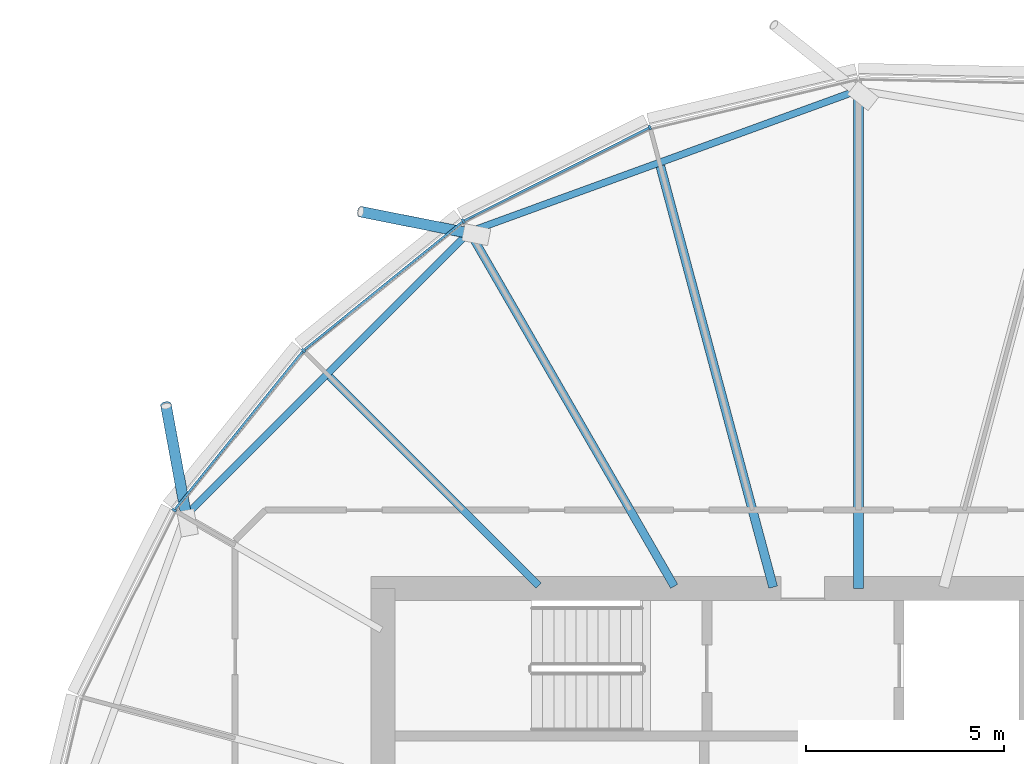
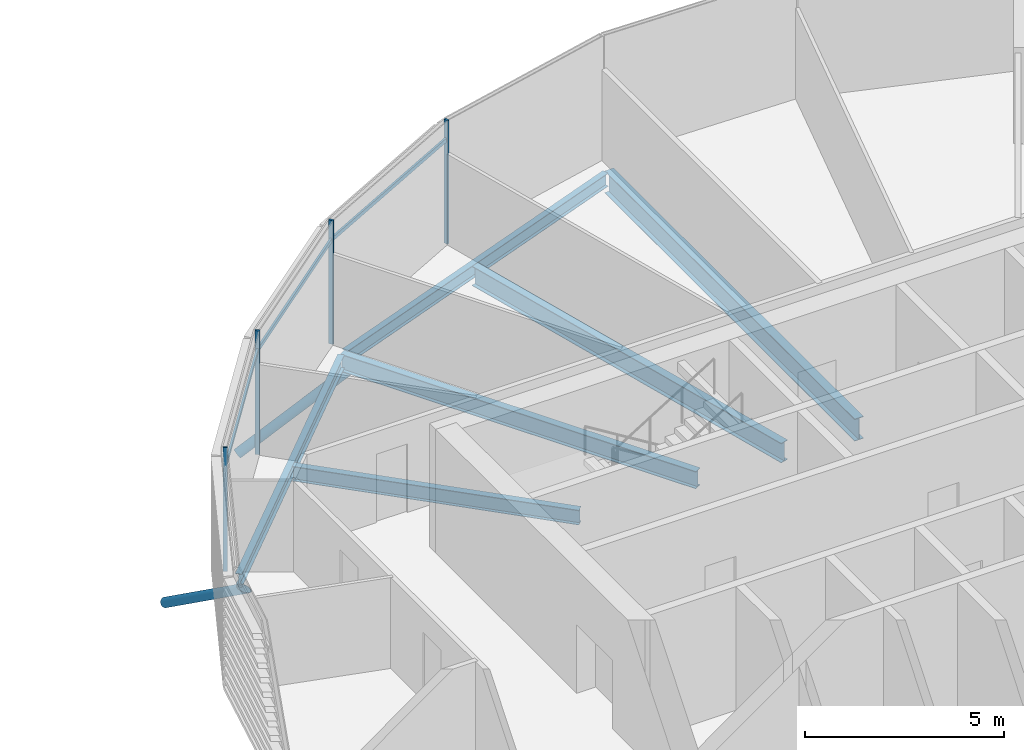
# One storey, part 15 of 37: 9 members, 6 beams, 1 element without a shape of its own.
"""IFC4 building model written with IfcOpenShell, lengths in metres."""

from ifc_helpers import new_model, si_unit, direction, frame, origin, origin_2d, place, context, subcontext, project, spatial, rectangle, hollow_circle, i_section, extrude, clip, halfspace, material, material_profile, profile_set, type_object, element, aggregate, save


model = new_model("IFC4")

# Units and contexts
model_context = context("Model", 3, precision=1e-05, world=origin(), true_north=direction((0.0, 1.0)))
body_context = subcontext(model_context, "Body", "Model", "MODEL_VIEW")
ifc_project = project(units=[si_unit("LENGTHUNIT", "METRE"), si_unit("AREAUNIT", "SQUARE_METRE"), si_unit("VOLUMEUNIT", "CUBIC_METRE"), si_unit("PLANEANGLEUNIT", "RADIAN"), si_unit("MASSUNIT", "GRAM", prefix="KILO")], contexts=[model_context])

# Site, building, storey
site_placement = place(None, origin())
site = spatial("IfcSite", under=ifc_project, at=site_placement, CompositionType="ELEMENT")
building_placement = place(site_placement, origin())
building = spatial("IfcBuilding", under=site, at=building_placement, Name="Rimbun Link Towers", CompositionType="ELEMENT")
storey_placement = place(building_placement, frame((0.0, 0.0, 177.89990234375)))
storey = spatial("IfcBuildingStorey", under=building, at=storey_placement, Name="L43", CompositionType="ELEMENT", Elevation=177.89990234375)

# Curtain wall, members
ifc_material_1 = material(Name="Aluminium 6063-T6 and low-iron glass", Category="aluminium")
curtain_wall_type = type_object("IfcCurtainWallType", Name="CW1-Z3 unitised vision wall (zone 3)", PredefinedType="NOTDEFINED", material=ifc_material_1)
curtain_wall_placement = place(storey_placement, origin())
curtain_wall = element("IfcCurtainWall", 1, at=curtain_wall_placement, inside=storey, type_object=curtain_wall_type, Name="CW1 L43 T2", PredefinedType="NOTDEFINED")
ifc_material_2 = material(Name="Aluminium 6063-T6", Category="aluminium")
ifc_material_profile_1 = material_profile(ifc_material_2, rectangle(XDim=0.1201171875, YDim=0.06005859375, at=origin_2d()), Name="MULLION 60X120")
ifc_profile_set_1 = profile_set([ifc_material_profile_1], Name="Aluminium 6063-T6")
member_type_1 = type_object("IfcMemberType", Name="CW1 mullion 60X120", PredefinedType="MULLION", material=ifc_profile_set_1)
member_1_placement = place(storey_placement, frame((26.4833984375, 19.634765625, 0.0), z_axis=(0.0, 0.0, 1.0), x_axis=(-0.342962048977, 0.939349260372, 0.0)))
member_1 = element("IfcMember", 2, at=member_1_placement, type_object=member_type_1, Name="CW1 mullion", PredefinedType="MULLION", context=body_context, shape_type="SweptSolid", body=[
    extrude(rectangle(XDim=0.1201171875, YDim=0.06005859375, at=origin_2d()), origin(), (0.0, 0.0, 1.0), 3.800048828125),
])
member_2_placement = place(storey_placement, frame((21.775390625, 17.2705078125, 0.0), z_axis=(0.0, 0.0, 1.0), x_axis=(-0.542097014409, 0.84031590903, 0.0)))
member_2 = element("IfcMember", 3, at=member_2_placement, type_object=member_type_1, Name="CW1 mullion", PredefinedType="MULLION", context=body_context, shape_type="SweptSolid", body=[
    extrude(rectangle(XDim=0.1201171875, YDim=0.06005859375, at=origin_2d()), origin(), (0.0, 0.0, 1.0), 3.800048828125),
])
member_3_placement = place(storey_placement, frame((17.7431640625, 14.0068359375, 0.0), z_axis=(0.0, 0.0, 1.0), x_axis=(-0.707106781187, 0.707106781187, 0.0)))
member_3 = element("IfcMember", 4, at=member_3_placement, type_object=member_type_1, Name="CW1 mullion", PredefinedType="MULLION", context=body_context, shape_type="SweptSolid", body=[
    extrude(rectangle(XDim=0.1201171875, YDim=0.06005859375, at=origin_2d()), origin(), (0.0, 0.0, 1.0), 3.800048828125),
])
member_4_placement = place(storey_placement, frame((14.4794921875, 9.974609375, 0.0), z_axis=(0.0, 0.0, 1.0), x_axis=(-0.84031590903, 0.542097014409, 0.0)))
member_4 = element("IfcMember", 5, at=member_4_placement, type_object=member_type_1, Name="CW1 mullion", PredefinedType="MULLION", context=body_context, shape_type="SweptSolid", body=[
    extrude(rectangle(XDim=0.1201171875, YDim=0.06005859375, at=origin_2d()), origin(), (0.0, 0.0, 1.0), 3.800048828125),
])
ifc_material_3 = material(Name="Aluminium 6063-T6", Category="aluminium")
ifc_material_profile_2 = material_profile(ifc_material_3, rectangle(XDim=0.06005859375, YDim=0.1201171875, at=origin_2d()), Name="TRANSOM 60X120")
ifc_profile_set_2 = profile_set([ifc_material_profile_2], Name="Aluminium 6063-T6")
member_type_2 = type_object("IfcMemberType", Name="CW1 transom 60X120", PredefinedType="USERDEFINED", material=ifc_profile_set_2)
member_5_placement = place(storey_placement, frame((21.80859375, 17.285400390625, 3.2001953125), z_axis=(0.89363629946, 0.448791894186, 0.0), x_axis=(-0.448791894186, 0.89363629946, 0.0)))
member_5 = element("IfcMember", 6, at=member_5_placement, type_object=member_type_2, Name="CW1 transom", ObjectType="TRANSOM", PredefinedType="USERDEFINED", context=body_context, shape_type="SweptSolid", body=[
    extrude(rectangle(XDim=0.06005859375, YDim=0.1201171875, at=origin_2d()), origin(), (0.0, 0.0, 1.0), 5.195068359375),
])
member_6_placement = place(storey_placement, frame((17.7724609375, 14.0283203125, 3.2001953125), z_axis=(0.777274882406, 0.629161153586, 0.0), x_axis=(-0.629161153586, 0.777274882406, 0.0)))
member_6 = element("IfcMember", 7, at=member_6_placement, type_object=member_type_2, Name="CW1 transom", ObjectType="TRANSOM", PredefinedType="USERDEFINED", context=body_context, shape_type="SweptSolid", body=[
    extrude(rectangle(XDim=0.06005859375, YDim=0.1201171875, at=origin_2d()), origin(), (0.0, 0.0, 1.0), 5.11474609375),
])
member_7_placement = place(storey_placement, frame((14.503662109375, 10.001953125, 3.2001953125), z_axis=(0.629161153586, 0.777274882406, 0.0), x_axis=(-0.777274882406, 0.629161153586, 0.0)))
member_7 = element("IfcMember", 8, at=member_7_placement, type_object=member_type_2, Name="CW1 transom", ObjectType="TRANSOM", PredefinedType="USERDEFINED", context=body_context, shape_type="SweptSolid", body=[
    extrude(rectangle(XDim=0.06005859375, YDim=0.1201171875, at=origin_2d()), origin(), (0.0, 0.0, 1.0), 5.11474609375),
])
aggregate(curtain_wall, [member_1, member_2, member_3, member_4, member_5, member_6, member_7])

# Members
ifc_material_4 = material(Name="Steel S355J2H", Category="steel")
ifc_material_profile_3 = material_profile(ifc_material_4, hollow_circle(Radius=0.136474609375, WallThickness=0.012451171875, at=origin_2d()), Name="CHS 273x12.5")
ifc_profile_set_3 = profile_set([ifc_material_profile_3], Name="Steel S355J2H")
member_type_3 = type_object("IfcMemberType", Name="Floor edge link CHS 273x12.5", PredefinedType="BRACE", material=ifc_profile_set_3)
member_8_placement = place(storey_placement, frame((21.95947265625, 16.957763671875, -0.7978515625), z_axis=(-0.824751458099, 0.163734761793, -0.54127253777), x_axis=(-0.194725936853, -0.980857690757, 0.0)))
element("IfcMember", 9, at=member_8_placement, inside=storey, type_object=member_type_3, Name="Floor edge link T2 L43 05", PredefinedType="BRACE", context=body_context, shape_type="Clipping", body=[
    clip(extrude(hollow_circle(Radius=0.136474609375, WallThickness=0.012451171875, at=origin_2d()), frame((0.0, 0.0, -0.442626953125)), (0.0, 0.0, 1.0), 3.81689453125), halfspace(frame((0.0, 0.0, -0.20849609375), z_axis=(0.0, 0.840847215525, -0.54127253777)), False)),
])
member_9_placement = place(storey_placement, frame((14.792236328125, 9.79052734375, -0.566650390625), z_axis=(-0.149736898014, 0.815887585951, -0.558485728075), x_axis=(-0.983572861078, -0.180511570128, 0.0)))
element("IfcMember", 10, at=member_9_placement, inside=storey, type_object=member_type_3, Name="Floor edge link T2 L43 07", PredefinedType="BRACE", context=body_context, shape_type="Clipping", body=[
    clip(extrude(hollow_circle(Radius=0.136474609375, WallThickness=0.012451171875, at=origin_2d()), frame((0.0, 0.0, -0.42333984375)), (0.0, 0.0, 1.0), 3.910888671875), halfspace(frame((0.0, 0.0, -0.199462890625), z_axis=(0.0, 0.829514129799, -0.558485728075)), False)),
])

# Beams
ifc_material_5 = material(Name="Steel S355J2", Category="steel")
ifc_material_profile_4 = material_profile(ifc_material_5, i_section(OverallWidth=0.177978515625, OverallDepth=0.406494140625, WebThickness=0.0078125, FlangeThickness=0.0126953125, at=origin_2d()), Name="UB 406x178x60")
ifc_profile_set_4 = profile_set([ifc_material_profile_4], Name="Steel S355J2")
beam_type_1 = type_object("IfcBeamType", Name="UB 406x178x60", PredefinedType="BEAM", material=ifc_profile_set_4)
beam_1_placement = place(storey_placement, frame((31.622314453125, 20.529541015625, -0.35302734375), z_axis=(-0.939613749302, -0.342236763255, 0.0), x_axis=(0.342236763255, -0.939613749302, 0.0)))
element("IfcBeam", 11, at=beam_1_placement, inside=storey, type_object=beam_type_1, Name="Edge beam T2 L43 03-05", PredefinedType="BEAM", context=body_context, shape_type="SweptSolid", body=[
    extrude(i_section(OverallWidth=0.177978515625, OverallDepth=0.406494140625, WebThickness=0.0078125, FlangeThickness=0.0126953125, at=origin_2d()), origin(), (0.0, 0.0, 1.0), 10.203369140625),
])
beam_2_placement = place(storey_placement, frame((21.857177734375, 16.923583984375, -0.35302734375), z_axis=(-0.707119029808, -0.707094532353, 0.0), x_axis=(0.707094532353, -0.707119029808, 0.0)))
element("IfcBeam", 12, at=beam_2_placement, inside=storey, type_object=beam_type_1, Name="Edge beam T2 L43 05-07", PredefinedType="BEAM", context=body_context, shape_type="SweptSolid", body=[
    extrude(i_section(OverallWidth=0.177978515625, OverallDepth=0.406494140625, WebThickness=0.0078125, FlangeThickness=0.0126953125, at=origin_2d()), origin(), (0.0, 0.0, 1.0), 9.966064453125),
])
ifc_material_6 = material(Name="Steel S355J2", Category="steel")
ifc_material_profile_5 = material_profile(ifc_material_6, i_section(OverallWidth=0.18994140625, OverallDepth=0.453369140625, WebThickness=0.008544921875, FlangeThickness=0.0126953125, at=origin_2d()), Name="UB 457x191x67")
ifc_profile_set_5 = profile_set([ifc_material_profile_5], Name="Steel S355J2")
beam_type_2 = type_object("IfcBeamType", Name="UB 457x191x67", PredefinedType="BEAM", material=ifc_profile_set_5)
beam_3_placement = place(storey_placement, frame((23.68212890625, 8.06787109375, -0.376708984375), z_axis=(-0.707106781187, 0.707106781187, 0.0), x_axis=(-0.707106781187, -0.707106781187, 0.0)))
element("IfcBeam", 13, at=beam_3_placement, inside=storey, type_object=beam_type_2, Name="Radial beam T2 L43 06", PredefinedType="BEAM", context=body_context, shape_type="SweptSolid", body=[
    extrude(i_section(OverallWidth=0.18994140625, OverallDepth=0.453369140625, WebThickness=0.008544921875, FlangeThickness=0.0126953125, at=origin_2d()), origin(), (0.0, 0.0, 1.0), 7.462646484375),
])
ifc_material_7 = material(Name="Steel S355J2", Category="steel")
ifc_material_profile_6 = material_profile(ifc_material_7, i_section(OverallWidth=0.209228515625, OverallDepth=0.533203125, WebThickness=0.010009765625, FlangeThickness=0.015625, at=origin_2d()), Name="UB 533x210x92")
ifc_profile_set_6 = profile_set([ifc_material_profile_6], Name="Steel S355J2")
beam_type_3 = type_object("IfcBeamType", Name="UB 533x210x92", PredefinedType="BEAM", material=ifc_profile_set_6)
beam_4_placement = place(storey_placement, frame((27.1005859375, 8.05322265625, -0.41650390625), z_axis=(-0.500001996123, 0.866024251319, 0.0), x_axis=(-0.866024251319, -0.500001996123, 0.0)))
element("IfcBeam", 14, at=beam_4_placement, inside=storey, type_object=beam_type_3, Name="Radial beam T2 L43 05", PredefinedType="BEAM", context=body_context, shape_type="SweptSolid", body=[
    extrude(i_section(OverallWidth=0.209228515625, OverallDepth=0.533203125, WebThickness=0.010009765625, FlangeThickness=0.015625, at=origin_2d()), origin(), (0.0, 0.0, 1.0), 10.33203125),
])
ifc_material_8 = material(Name="Steel S355J2", Category="steel")
ifc_material_profile_7 = material_profile(ifc_material_8, i_section(OverallWidth=0.2275390625, OverallDepth=0.6025390625, WebThickness=0.010498046875, FlangeThickness=0.014892578125, at=origin_2d()), Name="UB 610x229x101")
ifc_profile_set_7 = profile_set([ifc_material_profile_7], Name="Steel S355J2")
beam_type_4 = type_object("IfcBeamType", Name="UB 610x229x101", PredefinedType="BEAM", material=ifc_profile_set_7)
beam_5_placement = place(storey_placement, frame((29.598388671875, 8.030517578125, -0.451171875), z_axis=(-0.258836266354, 0.965921211704, 0.0), x_axis=(-0.965921211704, -0.258836266354, 0.0)))
element("IfcBeam", 15, at=beam_5_placement, inside=storey, type_object=beam_type_4, Name="Radial beam T2 L43 04", PredefinedType="BEAM", context=body_context, shape_type="SweptSolid", body=[
    extrude(i_section(OverallWidth=0.2275390625, OverallDepth=0.6025390625, WebThickness=0.010498046875, FlangeThickness=0.014892578125, at=origin_2d()), origin(), (0.0, 0.0, 1.0), 11.003662109375),
])
ifc_material_9 = material(Name="Steel S355J2", Category="steel")
ifc_material_profile_8 = material_profile(ifc_material_9, i_section(OverallWidth=0.253662109375, OverallDepth=0.68359375, WebThickness=0.012451171875, FlangeThickness=0.01904296875, at=origin_2d()), Name="UB 686x254x140")
ifc_profile_set_8 = profile_set([ifc_material_profile_8], Name="Steel S355J2")
beam_type_5 = type_object("IfcBeamType", Name="UB 686x254x140", PredefinedType="BEAM", material=ifc_profile_set_8)
beam_6_placement = place(storey_placement, frame((31.75, 8.0009765625, -0.49169921875), z_axis=(0.0, 1.0, 0.0), x_axis=(-1.0, 0.0, 0.0)))
element("IfcBeam", 16, at=beam_6_placement, inside=storey, type_object=beam_type_5, Name="Radial beam T2 L43 03", PredefinedType="BEAM", context=body_context, shape_type="SweptSolid", body=[
    extrude(i_section(OverallWidth=0.253662109375, OverallDepth=0.68359375, WebThickness=0.012451171875, FlangeThickness=0.01904296875, at=origin_2d()), origin(), (0.0, 0.0, 1.0), 12.5751953125),
])

save(model, "model.ifc")
